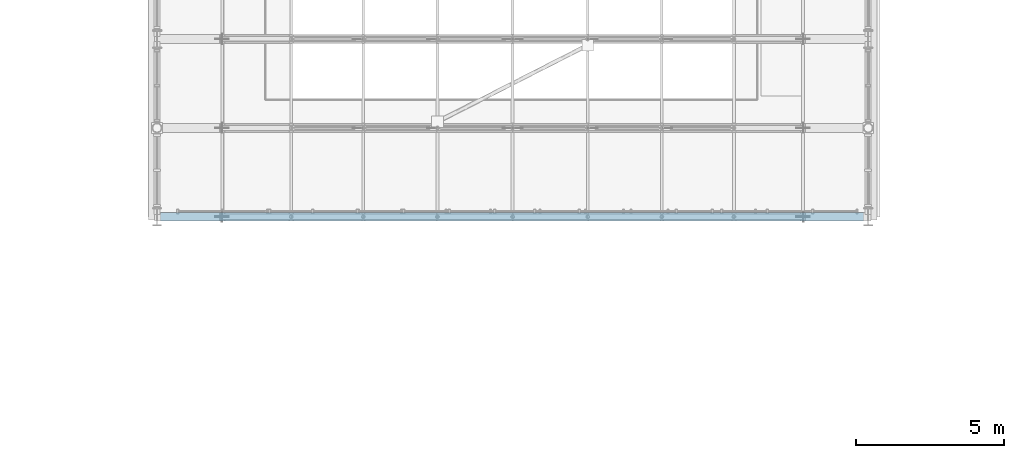
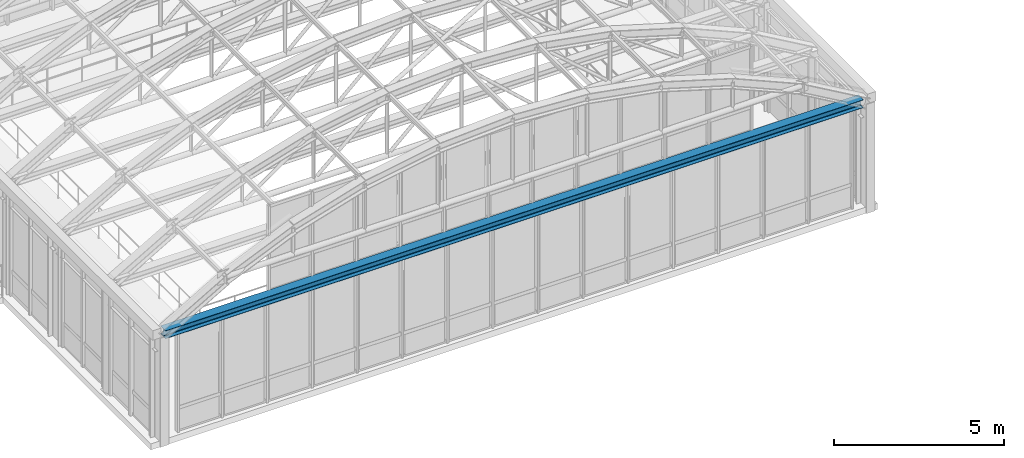
# One storey, part 52 of 148: 1 beam.
"""IFC4 building model written with IfcOpenShell, lengths in metres."""

from ifc_helpers import new_model, si_unit, direction, frame, origin, origin_2d, place, context, subcontext, project, spatial, i_section, extrude, material, material_profile, profile_set, type_object, element, save


model = new_model("IFC4")

# Units and contexts
model_context = context("Model", 3, precision=1e-05, world=origin(), true_north=direction((0.0, 1.0)))
body_context = subcontext(model_context, "Body", "Model", "MODEL_VIEW")
ifc_project = project(units=[si_unit("LENGTHUNIT", "METRE"), si_unit("AREAUNIT", "SQUARE_METRE"), si_unit("VOLUMEUNIT", "CUBIC_METRE"), si_unit("PLANEANGLEUNIT", "RADIAN"), si_unit("MASSUNIT", "GRAM", prefix="KILO"), si_unit("THERMODYNAMICTEMPERATUREUNIT", "KELVIN"), si_unit("POWERUNIT", "WATT")], contexts=[model_context])

# Site, building, storey
site_placement = place(None, origin())
site = spatial("IfcSite", under=ifc_project, at=site_placement, CompositionType="ELEMENT")
building_placement = place(site_placement, origin())
building = spatial("IfcBuilding", under=site, at=building_placement, Name="Solvatero Civic Police Headquarters", CompositionType="ELEMENT")
storey_placement = place(building_placement, frame((0.0, 0.0, 5.10009765625)))
storey = spatial("IfcBuildingStorey", under=building, at=storey_placement, Name="L01", CompositionType="ELEMENT", Elevation=5.10009765625)

# Beam
ifc_material = material(Name="Steel S355", Category="steel")
ifc_material_profile = material_profile(ifc_material, i_section(OverallWidth=0.300048828125, OverallDepth=0.2900390625, WebThickness=0.008544921875, FlangeThickness=0.013916015625, FilletRadius=0.027099609375, at=origin_2d()), Name="HEA 300")
ifc_profile_set = profile_set([ifc_material_profile], Name="Steel S355")
beam_type = type_object("IfcBeamType", Name="BM-ST-HEA300", PredefinedType="SPANDREL", material=ifc_profile_set)
beam_placement = place(storey_placement, frame((64.919921875, 41.5, 3.864013671875), z_axis=(1.0, 0.0, 0.0), x_axis=(0.0, 1.0, 0.0)))
element("IfcBeam", 1, at=beam_placement, inside=storey, type_object=beam_type, Name="VLT2 Barrel Vault Springing Tie Beam F1", PredefinedType="SPANDREL", context=body_context, shape_type="SweptSolid", body=[
    extrude(i_section(OverallWidth=0.300048828125, OverallDepth=0.2900390625, WebThickness=0.008544921875, FlangeThickness=0.013916015625, FilletRadius=0.027099609375, at=origin_2d()), origin(), (0.0, 0.0, 1.0), 23.719970703125),
])

save(model, "model.ifc")
